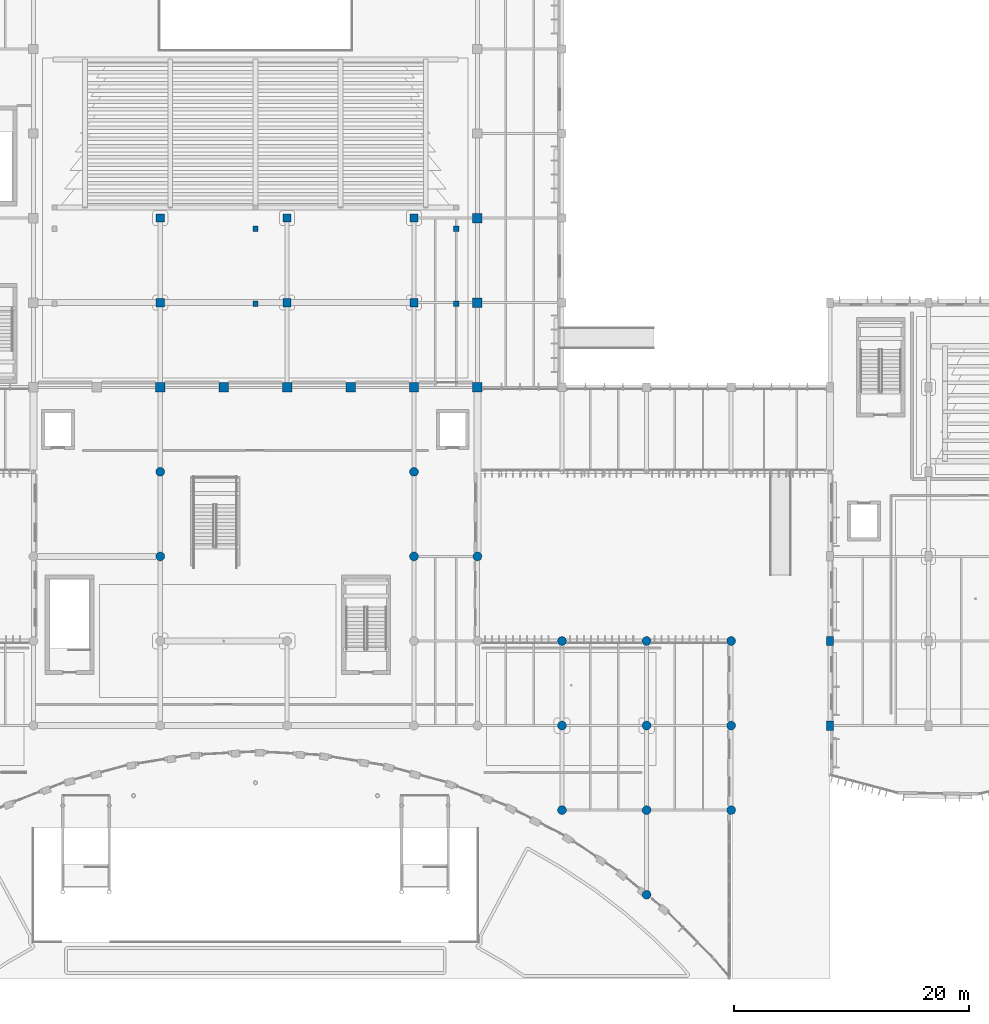
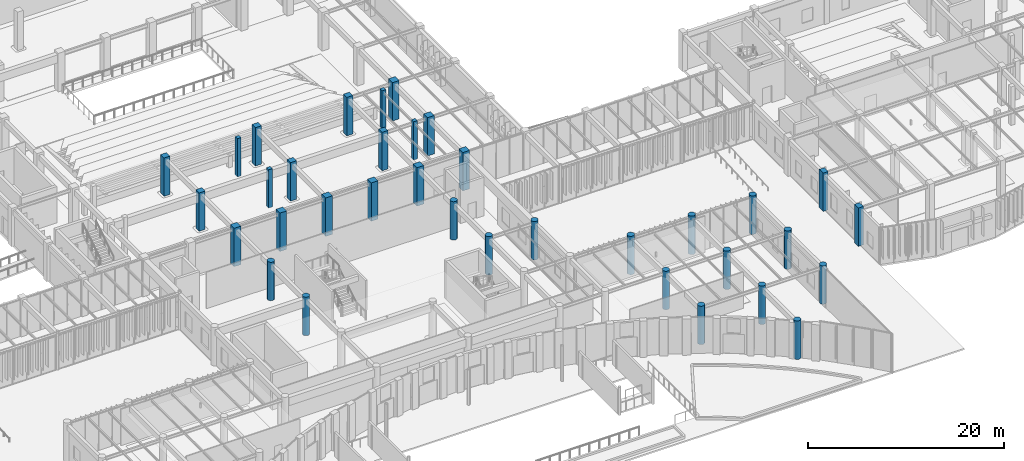
# One storey, part 6 of 122: 35 columns.
"""IFC4 building model written with IfcOpenShell, lengths in metres."""

from ifc_helpers import new_model, si_unit, direction, frame, origin, origin_2d, place, context, subcontext, project, spatial, rectangle, circle, extrude, material, material_profile, profile_set, type_object, element, save


model = new_model("IFC4")

# Units and contexts
model_context = context("Model", 3, precision=1e-05, world=origin(), true_north=direction((0.0, 1.0)))
body_context = subcontext(model_context, "Body", "Model", "MODEL_VIEW")
ifc_project = project(units=[si_unit("LENGTHUNIT", "METRE"), si_unit("AREAUNIT", "SQUARE_METRE"), si_unit("VOLUMEUNIT", "CUBIC_METRE"), si_unit("PLANEANGLEUNIT", "RADIAN"), si_unit("MASSUNIT", "GRAM", prefix="KILO")], contexts=[model_context])

# Site, building, storey
site_placement = place(None, origin())
site = spatial("IfcSite", under=ifc_project, at=site_placement, CompositionType="ELEMENT")
building_placement = place(site_placement, origin())
building = spatial("IfcBuilding", under=site, at=building_placement, Name="Tazoul Stagehouse", CompositionType="ELEMENT")
storey_placement = place(building_placement, origin())
storey = spatial("IfcBuildingStorey", under=building, at=storey_placement, Name="L00", CompositionType="ELEMENT", Elevation=0.0)

# Columns
ifc_material = material(Name="Concrete C40/50", Category="concrete")
ifc_material_profile_1 = material_profile(ifc_material, circle(Radius=0.375, at=origin_2d()), Name="RC D750")
ifc_profile_set_1 = profile_set([ifc_material_profile_1], Name="Concrete C40/50")
column_type_1 = type_object("IfcColumnType", Name="RC Circular Column D750", PredefinedType="COLUMN", material=ifc_profile_set_1)
for number, where, z_axis, x_axis, name in (
    (1, (68.39990234375, 37.39990234375, 0.0), (0.0, 0.0, 1.0), (1.0, 0.0, 0.0), "L00 Column C-08 at 10/F"),
    (2, (68.39990234375, 44.60009765625, 0.0), (0.0, 0.0, 1.0), (1.0, 0.0, 0.0), "L00 Column C-08 at 10/G"),
    (3, (90.0, 37.39990234375, 0.0), (0.0, 0.0, 1.0), (1.0, 0.0, 0.0), "L00 Column C-08 at 14/F"),
    (4, (90.0, 44.60009765625, 0.0), (0.0, 0.0, 1.0), (1.0, 0.0, 0.0), "L00 Column C-08 at 14/G"),
    (5, (102.60009765625, 15.800048828125, 0.0), (0.0, 0.0, 1.0), (1.0, 0.0, 0.0), "L00 Column C-08 at 16/C"),
    (6, (102.60009765625, 23.0, 0.0), (0.0, 0.0, 1.0), (1.0, 0.0, 0.0), "L00 Column C-08 at 16/D"),
    (7, (109.800048828125, 15.800048828125, 0.0), (0.0, 0.0, 1.0), (1.0, 0.0, 0.0), "L00 Column C-08 at 17/C"),
    (8, (109.800048828125, 23.0, 0.0), (0.0, 0.0, 1.0), (1.0, 0.0, 0.0), "L00 Column C-08 at 17/D"),
):
    element("IfcColumn", number, at=place(storey_placement, frame(where, z_axis=z_axis, x_axis=x_axis)), inside=storey, type_object=column_type_1, Name=name, PredefinedType="COLUMN", context=body_context, shape_type="SweptSolid", body=[
        extrude(circle(Radius=0.375, at=origin_2d()), origin(), (0.0, 0.0, 1.0), 4.800048828125),
    ])
ifc_material_profile_2 = material_profile(ifc_material, circle(Radius=0.375, at=origin_2d()), Name="RC D750")
ifc_profile_set_2 = profile_set([ifc_material_profile_2], Name="Concrete C40/50")
column_type_2 = type_object("IfcColumnType", Name="RC Circular Column D750 (Exterior)", PredefinedType="COLUMN", material=ifc_profile_set_2)
for number, where, z_axis, x_axis, name in (
    (9, (95.39990234375, 37.39990234375, 0.0), (0.0, 0.0, 1.0), (1.0, 0.0, 0.0), "L00 Column C-08E at 15/F"),
    (10, (102.60009765625, 30.199951171875, 0.0), (0.0, 0.0, 1.0), (1.0, 0.0, 0.0), "L00 Column C-08E at 16/E"),
    (11, (109.800048828125, 8.60009765625, 0.0), (0.0, 0.0, 1.0), (1.0, 0.0, 0.0), "L00 Column C-08E at 17/B"),
    (12, (109.800048828125, 30.199951171875, 0.0), (0.0, 0.0, 1.0), (1.0, 0.0, 0.0), "L00 Column C-08E at 17/E"),
    (13, (117.0, 15.800048828125, 0.0), (0.0, 0.0, 1.0), (1.0, 0.0, 0.0), "L00 Column C-08E at 18/C"),
    (14, (117.0, 23.0, 0.0), (0.0, 0.0, 1.0), (1.0, 0.0, 0.0), "L00 Column C-08E at 18/D"),
    (15, (117.0, 30.199951171875, 0.0), (0.0, 0.0, 1.0), (1.0, 0.0, 0.0), "L00 Column C-08E at 18/E"),
):
    element("IfcColumn", number, at=place(storey_placement, frame(where, z_axis=z_axis, x_axis=x_axis)), inside=storey, type_object=column_type_2, Name=name, PredefinedType="COLUMN", context=body_context, shape_type="SweptSolid", body=[
        extrude(circle(Radius=0.375, at=origin_2d()), origin(), (0.0, 0.0, 1.0), 4.800048828125),
    ])
ifc_material_profile_3 = material_profile(ifc_material, rectangle(XDim=0.449951171875, YDim=0.449951171875, at=origin_2d()), Name="RC 450x450")
ifc_profile_set_3 = profile_set([ifc_material_profile_3], Name="Concrete C40/50")
column_type_3 = type_object("IfcColumnType", Name="RC Column 450x450", PredefinedType="COLUMN", material=ifc_profile_set_3)
for number, where, z_axis, x_axis, name in (
    (16, (76.5, 65.300048828125, 0.0), (0.0, 0.0, 1.0), (1.0, 0.0, 0.0), "L00 Bowl Support Column C-01 (V1-DRESS-FRT-2)"),
    (17, (93.60009765625, 65.300048828125, 0.0), (0.0, 0.0, 1.0), (1.0, 0.0, 0.0), "L00 Bowl Support Column C-01 (V1-DRESS-FRT-3)"),
    (18, (76.5, 58.89990234375, 0.0), (0.0, 0.0, 1.0), (1.0, 0.0, 0.0), "L00 Bowl Support Column C-01 (V1-DRESS-RER-2)"),
    (19, (93.60009765625, 58.89990234375, 0.0), (0.0, 0.0, 1.0), (1.0, 0.0, 0.0), "L00 Bowl Support Column C-01 (V1-DRESS-RER-3)"),
):
    element("IfcColumn", number, at=place(storey_placement, frame(where, z_axis=z_axis, x_axis=x_axis)), inside=storey, type_object=column_type_3, Name=name, PredefinedType="COLUMN", context=body_context, shape_type="SweptSolid", body=[
        extrude(rectangle(XDim=0.449951171875, YDim=0.449951171875, at=origin_2d()), origin(), (0.0, 0.0, 1.0), 4.800048828125),
    ])
ifc_material_profile_4 = material_profile(ifc_material, rectangle(XDim=0.60009765625, YDim=0.800048828125, at=origin_2d()), Name="RC 600x800")
ifc_profile_set_4 = profile_set([ifc_material_profile_4], Name="Concrete C40/50")
column_type_4 = type_object("IfcColumnType", Name="RC Column 600x800 (Exterior)", PredefinedType="COLUMN", material=ifc_profile_set_4)
for number, where, z_axis, x_axis, name in (
    (20, (125.39990234375, 23.0, 0.0), (0.0, 0.0, 1.0), (1.0, 0.0, 0.0), "L00 Column C-06E at 19/D"),
    (21, (125.39990234375, 30.199951171875, 0.0), (0.0, 0.0, 1.0), (1.0, 0.0, 0.0), "L00 Column C-06E at 19/E"),
):
    element("IfcColumn", number, at=place(storey_placement, frame(where, z_axis=z_axis, x_axis=x_axis)), inside=storey, type_object=column_type_4, Name=name, PredefinedType="COLUMN", context=body_context, shape_type="SweptSolid", body=[
        extrude(rectangle(XDim=0.60009765625, YDim=0.800048828125, at=origin_2d()), origin(), (0.0, 0.0, 1.0), 4.800048828125),
    ])
ifc_material_profile_5 = material_profile(ifc_material, rectangle(XDim=0.699951171875, YDim=0.699951171875, at=origin_2d()), Name="RC 700x700")
ifc_profile_set_5 = profile_set([ifc_material_profile_5], Name="Concrete C40/50")
column_type_5 = type_object("IfcColumnType", Name="RC Column 700x700", PredefinedType="COLUMN", material=ifc_profile_set_5)
for number, where, z_axis, x_axis, name in (
    (22, (68.39990234375, 59.0, 0.0), (0.0, 0.0, 1.0), (1.0, 0.0, 0.0), "L00 Column C-04 at 10/J"),
    (23, (68.39990234375, 66.199951171875, 0.0), (0.0, 0.0, 1.0), (1.0, 0.0, 0.0), "L00 Column C-04 at 10/K"),
    (24, (79.199951171875, 59.0, 0.0), (0.0, 0.0, 1.0), (1.0, 0.0, 0.0), "L00 Column C-04 at 12/J"),
    (25, (79.199951171875, 66.199951171875, 0.0), (0.0, 0.0, 1.0), (1.0, 0.0, 0.0), "L00 Column C-04 at 12/K"),
    (26, (90.0, 59.0, 0.0), (0.0, 0.0, 1.0), (1.0, 0.0, 0.0), "L00 Column C-04 at 14/J"),
    (27, (90.0, 66.199951171875, 0.0), (0.0, 0.0, 1.0), (1.0, 0.0, 0.0), "L00 Column C-04 at 14/K"),
):
    element("IfcColumn", number, at=place(storey_placement, frame(where, z_axis=z_axis, x_axis=x_axis)), inside=storey, type_object=column_type_5, Name=name, PredefinedType="COLUMN", context=body_context, shape_type="SweptSolid", body=[
        extrude(rectangle(XDim=0.699951171875, YDim=0.699951171875, at=origin_2d()), origin(), (0.0, 0.0, 1.0), 4.800048828125),
    ])
ifc_material_profile_6 = material_profile(ifc_material, rectangle(XDim=0.800048828125, YDim=0.800048828125, at=origin_2d()), Name="RC 800x800")
ifc_profile_set_6 = profile_set([ifc_material_profile_6], Name="Concrete C40/50")
column_type_6 = type_object("IfcColumnType", Name="RC Column 800x800", PredefinedType="COLUMN", material=ifc_profile_set_6)
for number, where, z_axis, x_axis, name in (
    (28, (68.39990234375, 51.800048828125, 0.0), (0.0, 0.0, 1.0), (1.0, 0.0, 0.0), "L00 Column C-05 at 10/H"),
    (29, (73.800048828125, 51.800048828125, 0.0), (0.0, 0.0, 1.0), (1.0, 0.0, 0.0), "L00 Column C-05 at 11/H"),
    (30, (79.199951171875, 51.800048828125, 0.0), (0.0, 0.0, 1.0), (1.0, 0.0, 0.0), "L00 Column C-05 at 12/H"),
    (31, (84.60009765625, 51.800048828125, 0.0), (0.0, 0.0, 1.0), (1.0, 0.0, 0.0), "L00 Column C-05 at 13/H"),
    (32, (90.0, 51.800048828125, 0.0), (0.0, 0.0, 1.0), (1.0, 0.0, 0.0), "L00 Column C-05 at 14/H"),
    (33, (95.39990234375, 51.800048828125, 0.0), (0.0, 0.0, 1.0), (1.0, 0.0, 0.0), "L00 Column C-05 at 15/H"),
    (34, (95.39990234375, 59.0, 0.0), (0.0, 0.0, 1.0), (1.0, 0.0, 0.0), "L00 Column C-05 at 15/J"),
    (35, (95.39990234375, 66.199951171875, 0.0), (0.0, 0.0, 1.0), (1.0, 0.0, 0.0), "L00 Column C-05 at 15/K"),
):
    element("IfcColumn", number, at=place(storey_placement, frame(where, z_axis=z_axis, x_axis=x_axis)), inside=storey, type_object=column_type_6, Name=name, PredefinedType="COLUMN", context=body_context, shape_type="SweptSolid", body=[
        extrude(rectangle(XDim=0.800048828125, YDim=0.800048828125, at=origin_2d()), origin(), (0.0, 0.0, 1.0), 4.800048828125),
    ])

save(model, "model.ifc")
